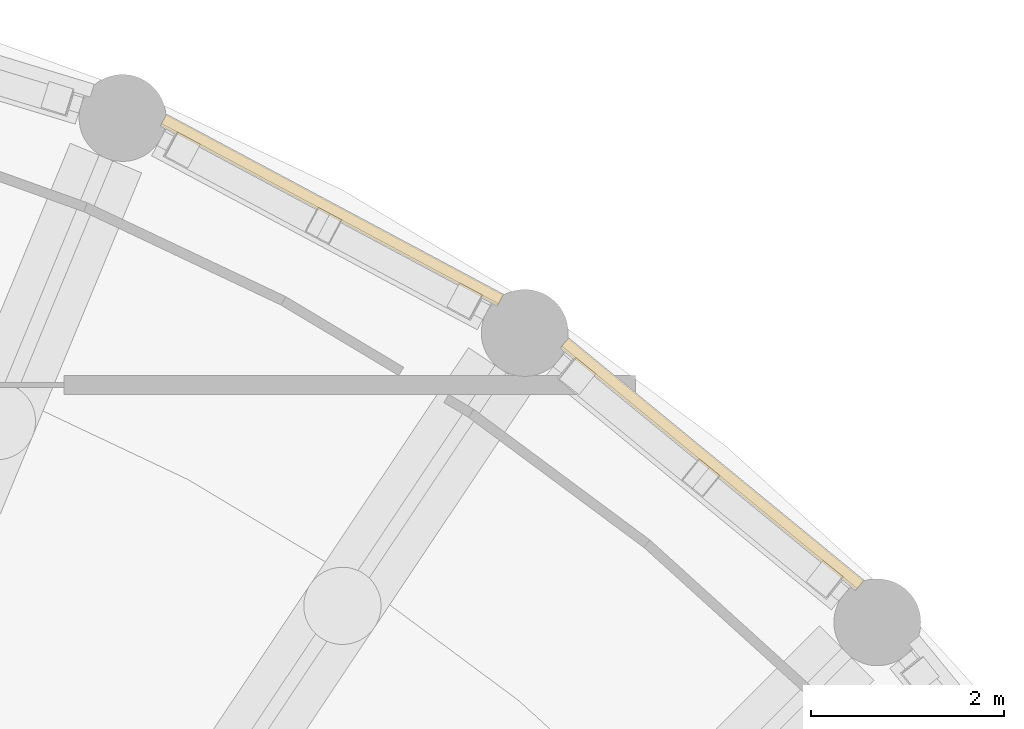
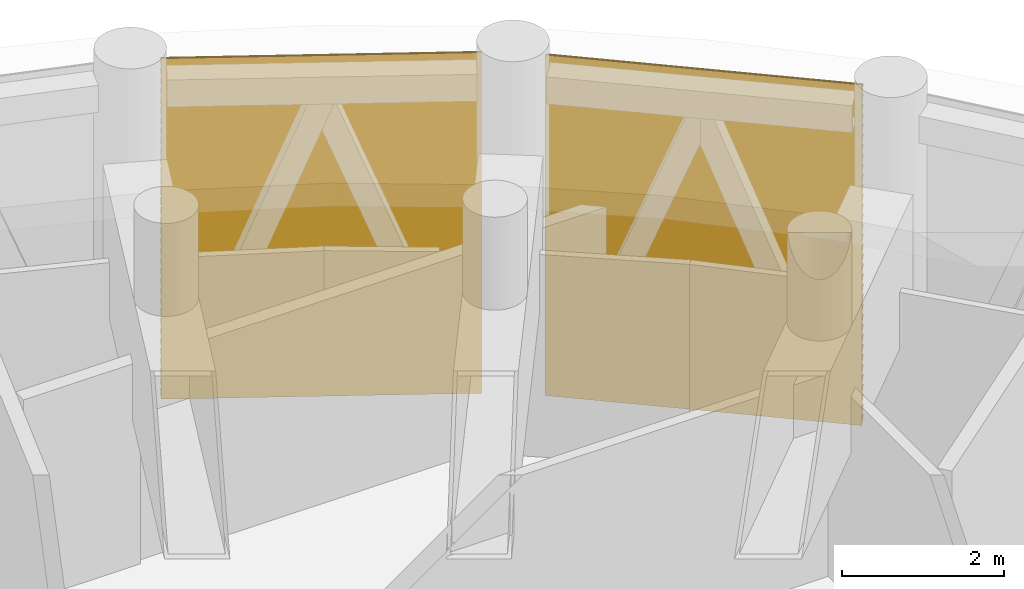
# One storey, part 19 of 19: 2 shading devices, 2 elements without a shape of their own.
"""IFC4 building model written with IfcOpenShell, lengths in metres."""

from ifc_helpers import new_model, si_unit, direction, frame, origin, place, context, subcontext, project, spatial, polyline, outline, extrude, material, material_profile, profile_set, type_object, element, aggregate, save


model = new_model("IFC4")

# Units and contexts
model_context = context("Model", 3, precision=1e-05, world=origin(), true_north=direction((0.0, 1.0)))
body_context = subcontext(model_context, "Body", "Model", "MODEL_VIEW")
ifc_project = project(units=[si_unit("LENGTHUNIT", "METRE"), si_unit("AREAUNIT", "SQUARE_METRE"), si_unit("VOLUMEUNIT", "CUBIC_METRE"), si_unit("PLANEANGLEUNIT", "RADIAN"), si_unit("MASSUNIT", "GRAM", prefix="KILO")], contexts=[model_context])

# Site, building, storey
site_placement = place(None, origin())
site = spatial("IfcSite", under=ifc_project, at=site_placement, CompositionType="ELEMENT")
building_placement = place(site_placement, origin())
building = spatial("IfcBuilding", under=site, at=building_placement, Name="Corvane Civic Tower", CompositionType="ELEMENT")
storey_placement = place(building_placement, frame((0.0, 0.0, 319.0)))
storey = spatial("IfcBuildingStorey", under=building, at=storey_placement, Name="L76", CompositionType="ELEMENT", Elevation=319.0)

# Curtain wall, shading device
ifc_material_1 = material(Name="Anodised aluminium bronze", Category="aluminium")
curtain_wall_type = type_object("IfcCurtainWallType", Name="TOWER CW-LV LOUVRE SCREEN WALL", PredefinedType="NOTDEFINED", material=ifc_material_1)
curtain_wall_1_placement = place(storey_placement, origin())
curtain_wall_1 = element("IfcCurtainWall", 1, at=curtain_wall_1_placement, inside=storey, type_object=curtain_wall_type, Name="Louvre screen wall CW-LV L76 bay 03", PredefinedType="NOTDEFINED")
ifc_material_2 = material(Name="Anodised aluminium bronze", Category="aluminium")
ifc_material_profile = material_profile(ifc_material_2, outline(polyline([(-0.06005859375, -2.56494140625), (-0.0400390625, -2.56494140625), (0.06005859375, -2.492919921875), (0.06005859375, -2.472900390625), (-0.0400390625, -2.544921875), (-0.0400390625, -2.4140625), (0.06005859375, -2.342041015625), (0.06005859375, -2.322021484375), (-0.0400390625, -2.39404296875), (-0.0400390625, -2.26318359375), (0.06005859375, -2.191162109375), (0.06005859375, -2.171142578125), (-0.0400390625, -2.2431640625), (-0.0400390625, -2.1123046875), (0.06005859375, -2.040283203125), (0.06005859375, -2.0205078125), (-0.0400390625, -2.09228515625), (-0.0400390625, -1.96142578125), (0.06005859375, -1.889404296875), (0.06005859375, -1.869384765625), (-0.0400390625, -1.94140625), (-0.0400390625, -1.810546875), (0.06005859375, -1.738525390625), (0.06005859375, -1.718505859375), (-0.0400390625, -1.79052734375), (-0.0400390625, -1.65966796875), (0.06005859375, -1.587646484375), (0.06005859375, -1.567626953125), (-0.0400390625, -1.6396484375), (-0.0400390625, -1.5087890625), (0.06005859375, -1.436767578125), (0.06005859375, -1.416748046875), (-0.0400390625, -1.48876953125), (-0.0400390625, -1.35791015625), (0.06005859375, -1.285888671875), (0.06005859375, -1.265869140625), (-0.0400390625, -1.337890625), (-0.0400390625, -1.20703125), (0.06005859375, -1.135009765625), (0.06005859375, -1.114990234375), (-0.0400390625, -1.18701171875), (-0.0400390625, -1.05615234375), (0.06005859375, -0.984130859375), (0.06005859375, -0.964111328125), (-0.0400390625, -1.0361328125), (-0.0400390625, -0.9052734375), (0.06005859375, -0.833251953125), (0.06005859375, -0.813232421875), (-0.0400390625, -0.88525390625), (-0.0400390625, -0.75439453125), (0.06005859375, -0.682373046875), (0.06005859375, -0.662353515625), (-0.0400390625, -0.734375), (-0.0400390625, -0.603515625), (0.06005859375, -0.531494140625), (0.06005859375, -0.511474609375), (-0.0400390625, -0.58349609375), (-0.0400390625, -0.45263671875), (0.06005859375, -0.380615234375), (0.06005859375, -0.360595703125), (-0.0400390625, -0.4326171875), (-0.0400390625, -0.3017578125), (0.06005859375, -0.229736328125), (0.06005859375, -0.209716796875), (-0.0400390625, -0.28173828125), (-0.0400390625, -0.15087890625), (0.06005859375, -0.078857421875), (0.06005859375, -0.058837890625), (-0.0400390625, -0.130859375), (-0.0400390625, 0.0), (0.06005859375, 0.072021484375), (0.06005859375, 0.092041015625), (-0.0400390625, 0.02001953125), (-0.0400390625, 0.15087890625), (0.06005859375, 0.222900390625), (0.06005859375, 0.242919921875), (-0.0400390625, 0.1708984375), (-0.0400390625, 0.3017578125), (0.06005859375, 0.373779296875), (0.06005859375, 0.393798828125), (-0.0400390625, 0.32177734375), (-0.0400390625, 0.45263671875), (0.06005859375, 0.524658203125), (0.06005859375, 0.544677734375), (-0.0400390625, 0.47265625), (-0.0400390625, 0.603515625), (0.06005859375, 0.675537109375), (0.06005859375, 0.695556640625), (-0.0400390625, 0.62353515625), (-0.0400390625, 0.75439453125), (0.06005859375, 0.826416015625), (0.06005859375, 0.846435546875), (-0.0400390625, 0.7744140625), (-0.0400390625, 0.9052734375), (0.06005859375, 0.977294921875), (0.06005859375, 0.997314453125), (-0.0400390625, 0.92529296875), (-0.0400390625, 1.05615234375), (0.06005859375, 1.128173828125), (0.06005859375, 1.148193359375), (-0.0400390625, 1.076171875), (-0.0400390625, 1.20703125), (0.06005859375, 1.279052734375), (0.06005859375, 1.299072265625), (-0.0400390625, 1.22705078125), (-0.0400390625, 1.35791015625), (0.06005859375, 1.429931640625), (0.06005859375, 1.449951171875), (-0.0400390625, 1.3779296875), (-0.0400390625, 1.5087890625), (0.06005859375, 1.580810546875), (0.06005859375, 1.600830078125), (-0.0400390625, 1.52880859375), (-0.0400390625, 1.65966796875), (0.06005859375, 1.731689453125), (0.06005859375, 1.751708984375), (-0.0400390625, 1.6796875), (-0.0400390625, 1.810546875), (0.06005859375, 1.882568359375), (0.06005859375, 1.902587890625), (-0.0400390625, 1.83056640625), (-0.0400390625, 1.96142578125), (0.06005859375, 2.033447265625), (0.06005859375, 2.053466796875), (-0.0400390625, 1.9814453125), (-0.0400390625, 2.1123046875), (0.06005859375, 2.184326171875), (0.06005859375, 2.204345703125), (-0.0400390625, 2.13232421875), (-0.0400390625, 2.26318359375), (0.06005859375, 2.335205078125), (0.06005859375, 2.355224609375), (-0.0400390625, 2.283203125), (-0.0400390625, 2.4140625), (0.06005859375, 2.486083984375), (0.06005859375, 2.506103515625), (-0.0400390625, 2.43408203125), (-0.0400390625, 2.56494140625), (-0.06005859375, 2.56494140625), (-0.06005859375, -2.56494140625)])), Name="TOWER LOUVRE BANK 5130 BRONZE")
ifc_profile_set = profile_set([ifc_material_profile], Name="Anodised aluminium bronze")
shading_device_type = type_object("IfcShadingDeviceType", Name="TOWER LOUVRE BANK 5130 BRONZE", PredefinedType="USERDEFINED", material=ifc_profile_set)
shading_device_1_placement = place(storey_placement, frame((9.644775390625, 22.2431640625, 2.68505859375), z_axis=(0.881883040816, -0.471468241052, 0.0), x_axis=(0.471468241052, 0.881883040816, 0.0)))
shading_device_1 = element("IfcShadingDevice", 2, at=shading_device_1_placement, type_object=shading_device_type, Name="Louvre bank L76 03.1", ObjectType="LOUVRE", PredefinedType="USERDEFINED", context=body_context, shape_type="SweptSolid", body=[
    extrude(outline(polyline([(-0.06005859375, -2.56494140625), (-0.0400390625, -2.56494140625), (0.06005859375, -2.492919921875), (0.06005859375, -2.472900390625), (-0.0400390625, -2.544921875), (-0.0400390625, -2.4140625), (0.06005859375, -2.342041015625), (0.06005859375, -2.322021484375), (-0.0400390625, -2.39404296875), (-0.0400390625, -2.26318359375), (0.06005859375, -2.191162109375), (0.06005859375, -2.171142578125), (-0.0400390625, -2.2431640625), (-0.0400390625, -2.1123046875), (0.06005859375, -2.040283203125), (0.06005859375, -2.0205078125), (-0.0400390625, -2.09228515625), (-0.0400390625, -1.96142578125), (0.06005859375, -1.889404296875), (0.06005859375, -1.869384765625), (-0.0400390625, -1.94140625), (-0.0400390625, -1.810546875), (0.06005859375, -1.738525390625), (0.06005859375, -1.718505859375), (-0.0400390625, -1.79052734375), (-0.0400390625, -1.65966796875), (0.06005859375, -1.587646484375), (0.06005859375, -1.567626953125), (-0.0400390625, -1.6396484375), (-0.0400390625, -1.5087890625), (0.06005859375, -1.436767578125), (0.06005859375, -1.416748046875), (-0.0400390625, -1.48876953125), (-0.0400390625, -1.35791015625), (0.06005859375, -1.285888671875), (0.06005859375, -1.265869140625), (-0.0400390625, -1.337890625), (-0.0400390625, -1.20703125), (0.06005859375, -1.135009765625), (0.06005859375, -1.114990234375), (-0.0400390625, -1.18701171875), (-0.0400390625, -1.05615234375), (0.06005859375, -0.984130859375), (0.06005859375, -0.964111328125), (-0.0400390625, -1.0361328125), (-0.0400390625, -0.9052734375), (0.06005859375, -0.833251953125), (0.06005859375, -0.813232421875), (-0.0400390625, -0.88525390625), (-0.0400390625, -0.75439453125), (0.06005859375, -0.682373046875), (0.06005859375, -0.662353515625), (-0.0400390625, -0.734375), (-0.0400390625, -0.603515625), (0.06005859375, -0.531494140625), (0.06005859375, -0.511474609375), (-0.0400390625, -0.58349609375), (-0.0400390625, -0.45263671875), (0.06005859375, -0.380615234375), (0.06005859375, -0.360595703125), (-0.0400390625, -0.4326171875), (-0.0400390625, -0.3017578125), (0.06005859375, -0.229736328125), (0.06005859375, -0.209716796875), (-0.0400390625, -0.28173828125), (-0.0400390625, -0.15087890625), (0.06005859375, -0.078857421875), (0.06005859375, -0.058837890625), (-0.0400390625, -0.130859375), (-0.0400390625, 0.0), (0.06005859375, 0.072021484375), (0.06005859375, 0.092041015625), (-0.0400390625, 0.02001953125), (-0.0400390625, 0.15087890625), (0.06005859375, 0.222900390625), (0.06005859375, 0.242919921875), (-0.0400390625, 0.1708984375), (-0.0400390625, 0.3017578125), (0.06005859375, 0.373779296875), (0.06005859375, 0.393798828125), (-0.0400390625, 0.32177734375), (-0.0400390625, 0.45263671875), (0.06005859375, 0.524658203125), (0.06005859375, 0.544677734375), (-0.0400390625, 0.47265625), (-0.0400390625, 0.603515625), (0.06005859375, 0.675537109375), (0.06005859375, 0.695556640625), (-0.0400390625, 0.62353515625), (-0.0400390625, 0.75439453125), (0.06005859375, 0.826416015625), (0.06005859375, 0.846435546875), (-0.0400390625, 0.7744140625), (-0.0400390625, 0.9052734375), (0.06005859375, 0.977294921875), (0.06005859375, 0.997314453125), (-0.0400390625, 0.92529296875), (-0.0400390625, 1.05615234375), (0.06005859375, 1.128173828125), (0.06005859375, 1.148193359375), (-0.0400390625, 1.076171875), (-0.0400390625, 1.20703125), (0.06005859375, 1.279052734375), (0.06005859375, 1.299072265625), (-0.0400390625, 1.22705078125), (-0.0400390625, 1.35791015625), (0.06005859375, 1.429931640625), (0.06005859375, 1.449951171875), (-0.0400390625, 1.3779296875), (-0.0400390625, 1.5087890625), (0.06005859375, 1.580810546875), (0.06005859375, 1.600830078125), (-0.0400390625, 1.52880859375), (-0.0400390625, 1.65966796875), (0.06005859375, 1.731689453125), (0.06005859375, 1.751708984375), (-0.0400390625, 1.6796875), (-0.0400390625, 1.810546875), (0.06005859375, 1.882568359375), (0.06005859375, 1.902587890625), (-0.0400390625, 1.83056640625), (-0.0400390625, 1.96142578125), (0.06005859375, 2.033447265625), (0.06005859375, 2.053466796875), (-0.0400390625, 1.9814453125), (-0.0400390625, 2.1123046875), (0.06005859375, 2.184326171875), (0.06005859375, 2.204345703125), (-0.0400390625, 2.13232421875), (-0.0400390625, 2.26318359375), (0.06005859375, 2.335205078125), (0.06005859375, 2.355224609375), (-0.0400390625, 2.283203125), (-0.0400390625, 2.4140625), (0.06005859375, 2.486083984375), (0.06005859375, 2.506103515625), (-0.0400390625, 2.43408203125), (-0.0400390625, 2.56494140625), (-0.06005859375, 2.56494140625), (-0.06005859375, -2.56494140625)])), origin(), (0.0, 0.0, 1.0), 3.958740234375),
])
aggregate(curtain_wall_1, [shading_device_1])

curtain_wall_2_placement = place(storey_placement, origin())
curtain_wall_2 = element("IfcCurtainWall", 3, at=curtain_wall_2_placement, inside=storey, type_object=curtain_wall_type, Name="Louvre screen wall CW-LV L76 bay 04", PredefinedType="NOTDEFINED")
shading_device_2_placement = place(storey_placement, frame((13.798828125, 19.93408203125, 2.68505859375), z_axis=(0.772991943051, -0.634415838373, 0.0), x_axis=(0.634415838373, 0.772991943051, 0.0)))
shading_device_2 = element("IfcShadingDevice", 4, at=shading_device_2_placement, type_object=shading_device_type, Name="Louvre bank L76 04.1", ObjectType="LOUVRE", PredefinedType="USERDEFINED", context=body_context, shape_type="SweptSolid", body=[
    extrude(outline(polyline([(-0.06005859375, -2.56494140625), (-0.0400390625, -2.56494140625), (0.06005859375, -2.492919921875), (0.06005859375, -2.472900390625), (-0.0400390625, -2.544921875), (-0.0400390625, -2.4140625), (0.06005859375, -2.342041015625), (0.06005859375, -2.322021484375), (-0.0400390625, -2.39404296875), (-0.0400390625, -2.26318359375), (0.06005859375, -2.191162109375), (0.06005859375, -2.171142578125), (-0.0400390625, -2.2431640625), (-0.0400390625, -2.1123046875), (0.06005859375, -2.040283203125), (0.06005859375, -2.0205078125), (-0.0400390625, -2.09228515625), (-0.0400390625, -1.96142578125), (0.06005859375, -1.889404296875), (0.06005859375, -1.869384765625), (-0.0400390625, -1.94140625), (-0.0400390625, -1.810546875), (0.06005859375, -1.738525390625), (0.06005859375, -1.718505859375), (-0.0400390625, -1.79052734375), (-0.0400390625, -1.65966796875), (0.06005859375, -1.587646484375), (0.06005859375, -1.567626953125), (-0.0400390625, -1.6396484375), (-0.0400390625, -1.5087890625), (0.06005859375, -1.436767578125), (0.06005859375, -1.416748046875), (-0.0400390625, -1.48876953125), (-0.0400390625, -1.35791015625), (0.06005859375, -1.285888671875), (0.06005859375, -1.265869140625), (-0.0400390625, -1.337890625), (-0.0400390625, -1.20703125), (0.06005859375, -1.135009765625), (0.06005859375, -1.114990234375), (-0.0400390625, -1.18701171875), (-0.0400390625, -1.05615234375), (0.06005859375, -0.984130859375), (0.06005859375, -0.964111328125), (-0.0400390625, -1.0361328125), (-0.0400390625, -0.9052734375), (0.06005859375, -0.833251953125), (0.06005859375, -0.813232421875), (-0.0400390625, -0.88525390625), (-0.0400390625, -0.75439453125), (0.06005859375, -0.682373046875), (0.06005859375, -0.662353515625), (-0.0400390625, -0.734375), (-0.0400390625, -0.603515625), (0.06005859375, -0.531494140625), (0.06005859375, -0.511474609375), (-0.0400390625, -0.58349609375), (-0.0400390625, -0.45263671875), (0.06005859375, -0.380615234375), (0.06005859375, -0.360595703125), (-0.0400390625, -0.4326171875), (-0.0400390625, -0.3017578125), (0.06005859375, -0.229736328125), (0.06005859375, -0.209716796875), (-0.0400390625, -0.28173828125), (-0.0400390625, -0.15087890625), (0.06005859375, -0.078857421875), (0.06005859375, -0.058837890625), (-0.0400390625, -0.130859375), (-0.0400390625, 0.0), (0.06005859375, 0.072021484375), (0.06005859375, 0.092041015625), (-0.0400390625, 0.02001953125), (-0.0400390625, 0.15087890625), (0.06005859375, 0.222900390625), (0.06005859375, 0.242919921875), (-0.0400390625, 0.1708984375), (-0.0400390625, 0.3017578125), (0.06005859375, 0.373779296875), (0.06005859375, 0.393798828125), (-0.0400390625, 0.32177734375), (-0.0400390625, 0.45263671875), (0.06005859375, 0.524658203125), (0.06005859375, 0.544677734375), (-0.0400390625, 0.47265625), (-0.0400390625, 0.603515625), (0.06005859375, 0.675537109375), (0.06005859375, 0.695556640625), (-0.0400390625, 0.62353515625), (-0.0400390625, 0.75439453125), (0.06005859375, 0.826416015625), (0.06005859375, 0.846435546875), (-0.0400390625, 0.7744140625), (-0.0400390625, 0.9052734375), (0.06005859375, 0.977294921875), (0.06005859375, 0.997314453125), (-0.0400390625, 0.92529296875), (-0.0400390625, 1.05615234375), (0.06005859375, 1.128173828125), (0.06005859375, 1.148193359375), (-0.0400390625, 1.076171875), (-0.0400390625, 1.20703125), (0.06005859375, 1.279052734375), (0.06005859375, 1.299072265625), (-0.0400390625, 1.22705078125), (-0.0400390625, 1.35791015625), (0.06005859375, 1.429931640625), (0.06005859375, 1.449951171875), (-0.0400390625, 1.3779296875), (-0.0400390625, 1.5087890625), (0.06005859375, 1.580810546875), (0.06005859375, 1.600830078125), (-0.0400390625, 1.52880859375), (-0.0400390625, 1.65966796875), (0.06005859375, 1.731689453125), (0.06005859375, 1.751708984375), (-0.0400390625, 1.6796875), (-0.0400390625, 1.810546875), (0.06005859375, 1.882568359375), (0.06005859375, 1.902587890625), (-0.0400390625, 1.83056640625), (-0.0400390625, 1.96142578125), (0.06005859375, 2.033447265625), (0.06005859375, 2.053466796875), (-0.0400390625, 1.9814453125), (-0.0400390625, 2.1123046875), (0.06005859375, 2.184326171875), (0.06005859375, 2.204345703125), (-0.0400390625, 2.13232421875), (-0.0400390625, 2.26318359375), (0.06005859375, 2.335205078125), (0.06005859375, 2.355224609375), (-0.0400390625, 2.283203125), (-0.0400390625, 2.4140625), (0.06005859375, 2.486083984375), (0.06005859375, 2.506103515625), (-0.0400390625, 2.43408203125), (-0.0400390625, 2.56494140625), (-0.06005859375, 2.56494140625), (-0.06005859375, -2.56494140625)])), origin(), (0.0, 0.0, 1.0), 3.958740234375),
])
aggregate(curtain_wall_2, [shading_device_2])

save(model, "model.ifc")
